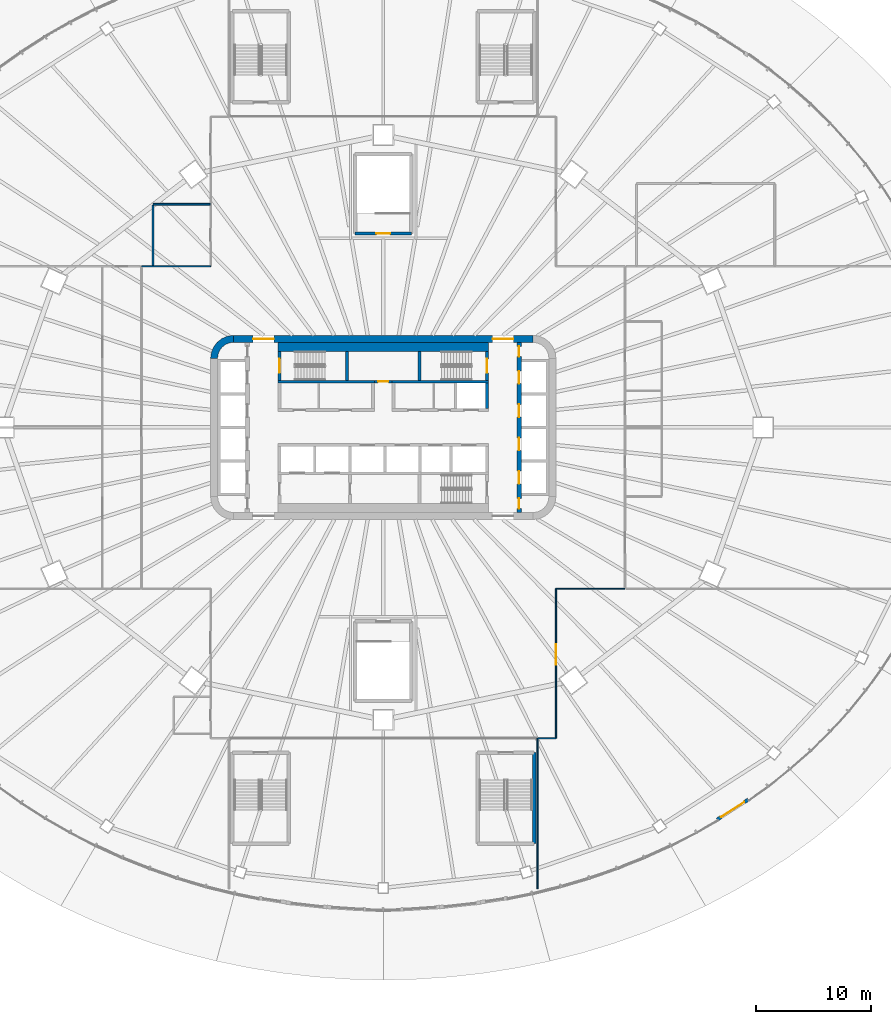
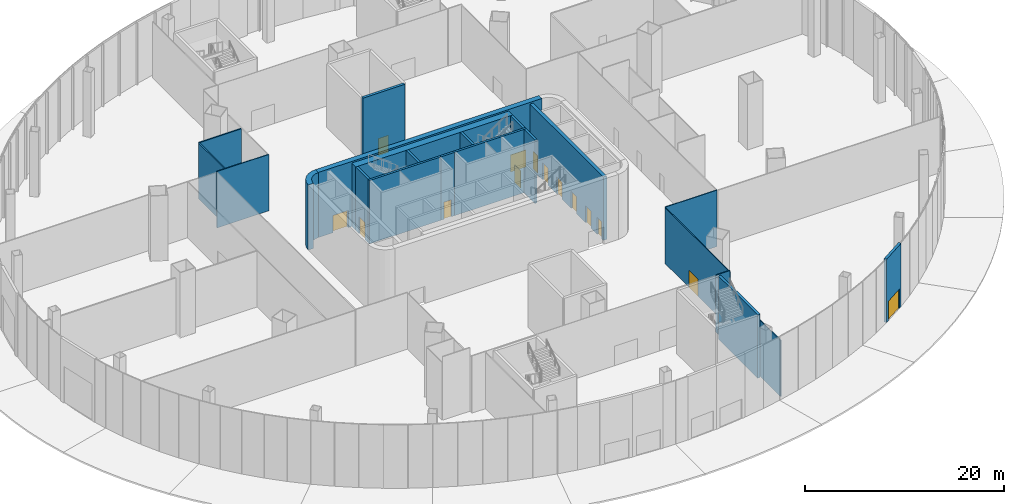
# One storey, part 18 of 36: 22 walls, 14 doors, 14 openings.
"""IFC4 building model written with IfcOpenShell, lengths in metres."""

from ifc_helpers import new_model, si_unit, direction, frame, frame_2d, origin, place, context, subcontext, project, spatial, polyline, rectangle, outline, extrude, material, layer, layer_set, type_object, element, fill, save


model = new_model("IFC4")

# Units and contexts
model_context = context("Model", 3, precision=1e-05, world=origin(), true_north=direction((0.0, 1.0)))
body_context = subcontext(model_context, "Body", "Model", "MODEL_VIEW")
ifc_project = project(units=[si_unit("LENGTHUNIT", "METRE"), si_unit("AREAUNIT", "SQUARE_METRE"), si_unit("VOLUMEUNIT", "CUBIC_METRE"), si_unit("PLANEANGLEUNIT", "RADIAN"), si_unit("MASSUNIT", "GRAM", prefix="KILO")], contexts=[model_context])

# Site, building, storey
site_placement = place(None, origin())
site = spatial("IfcSite", under=ifc_project, at=site_placement, CompositionType="ELEMENT")
building_placement = place(site_placement, origin())
building = spatial("IfcBuilding", under=site, at=building_placement, Name="Sahrelin Media Tower", CompositionType="ELEMENT")
storey_placement = place(building_placement, origin())
storey = spatial("IfcBuildingStorey", under=building, at=storey_placement, Name="L00", CompositionType="ELEMENT", Elevation=0.0)

# Wall, openings, doors
ifc_material_1 = material(Name="Concrete C60/75", Category="concrete")
ifc_layer_1 = layer(ifc_material_1, 0.60009765625)
ifc_layer_set_1 = layer_set([ifc_layer_1], Name="Core wall 600")
wall_type_1 = type_object("IfcWallType", Name="Core wall 600", PredefinedType="SHEAR", material=ifc_layer_set_1)
wall_1_placement = place(storey_placement, frame((-13.0, 7.699951171875, 0.0), z_axis=(0.0, 0.0, 1.0), x_axis=(1.0, 0.0, 0.0)))
wall_1 = element("IfcWall", 1, at=wall_1_placement, inside=storey, type_object=wall_type_1, Name="Core wall N L00", PredefinedType="SHEAR", context=body_context, shape_type="SweptSolid", body=[
    extrude(rectangle(XDim=26.0, YDim=0.60009765625, at=frame_2d((13.0, 0.0))), origin(), (0.0, 0.0, 1.0), 8.0),
])
opening_1_placement = place(wall_1_placement, frame((1.699951171875, 0.0, 0.0)))
opening_1 = element("IfcOpeningElement", 2, at=opening_1_placement, cuts=wall_1, Name="Opening L00-D15", PredefinedType="OPENING", context=body_context, shape_type="SweptSolid", body=[
    extrude(rectangle(XDim=1.800048828125, YDim=2.10009765625, at=frame_2d((0.89990234375, 1.050048828125))), frame((0.0, 0.300048828125, 0.0), z_axis=(0.0, -1.0, 0.0), x_axis=(1.0, 0.0, 0.0)), (0.0, 0.0, 1.0), 0.60009765625),
])
opening_2_placement = place(wall_1_placement, frame((22.5, 0.0, 0.0)))
opening_2 = element("IfcOpeningElement", 3, at=opening_2_placement, cuts=wall_1, Name="Opening L00-D16", PredefinedType="OPENING", context=body_context, shape_type="SweptSolid", body=[
    extrude(rectangle(XDim=1.800048828125, YDim=2.10009765625, at=frame_2d((0.89990234375, 1.050048828125))), frame((0.0, 0.300048828125, 0.0), z_axis=(0.0, -1.0, 0.0), x_axis=(1.0, 0.0, 0.0)), (0.0, 0.0, 1.0), 0.60009765625),
])
ifc_material_2 = material(Name="Steel fire door leaf", Category="steel")
door_type_1 = type_object("IfcDoorType", Name="Lobby double door 1800 x 2100 EI 60", OperationType="DOUBLE_DOOR_SINGLE_SWING", PredefinedType="DOOR", material=ifc_material_2)
door_1_placement = place(opening_1_placement, origin())
door_1 = element("IfcDoor", 4, at=door_1_placement, inside=storey, type_object=door_type_1, Name="Lobby door", OperationType="DOUBLE_DOOR_SINGLE_SWING", OverallHeight=2.10009765625, OverallWidth=1.800048828125, PredefinedType="DOOR", context=body_context, shape_type="SweptSolid", body=[
    extrude(rectangle(XDim=1.800048828125, YDim=2.10009765625, at=frame_2d((0.89990234375, 1.050048828125))), frame((0.0, 0.02490234375, 0.0), z_axis=(0.0, -1.0, 0.0), x_axis=(1.0, 0.0, 0.0)), (0.0, 0.0, 1.0), 0.050048828125),
])
fill(opening_1, door_1)
door_2_placement = place(opening_2_placement, origin())
door_2 = element("IfcDoor", 5, at=door_2_placement, inside=storey, type_object=door_type_1, Name="Lobby door", OperationType="DOUBLE_DOOR_SINGLE_SWING", OverallHeight=2.10009765625, OverallWidth=1.800048828125, PredefinedType="DOOR", context=body_context, shape_type="SweptSolid", body=[
    extrude(rectangle(XDim=1.800048828125, YDim=2.10009765625, at=frame_2d((0.89990234375, 1.050048828125))), frame((0.0, 0.02490234375, 0.0), z_axis=(0.0, -1.0, 0.0), x_axis=(1.0, 0.0, 0.0)), (0.0, 0.0, 1.0), 0.050048828125),
])
fill(opening_2, door_2)

# Wall
wall_2_placement = place(storey_placement, origin())
element("IfcWall", 6, at=wall_2_placement, inside=storey, type_object=wall_type_1, Name="Core wall corner NW L00", PredefinedType="SHEAR", context=body_context, shape_type="SweptSolid", body=[
    extrude(outline(polyline([(-15.0, 6.0), (-14.394775390625, 6.0), (-14.347412109375, 6.361083984375), (-14.2080078125, 6.697509765625), (-13.986328125, 6.986328125), (-13.697509765625, 7.2080078125), (-13.361083984375, 7.347412109375), (-13.0, 7.394775390625), (-13.0, 8.0), (-13.517578125, 7.931884765625), (-14.0, 7.732177734375), (-14.414306640625, 7.414306640625), (-14.732177734375, 7.0), (-14.931884765625, 6.517578125), (-15.0, 6.0)])), origin(), (0.0, 0.0, 1.0), 8.0),
])

# Wall, opening, door
ifc_material_3 = material(Name="Concrete C40/50", Category="concrete")
ifc_layer_2 = layer(ifc_material_3, 0.300048828125)
ifc_layer_set_2 = layer_set([ifc_layer_2], Name="Entrance pier wall")
wall_type_2 = type_object("IfcWallType", Name="Entrance pier wall", PredefinedType="SOLIDWALL", material=ifc_layer_set_2)
wall_3_placement = place(storey_placement, frame((29.011962890625, -34.061767578125, 0.0), z_axis=(0.0, 0.0, 1.0), x_axis=(0.840530889262, 0.541763623913, 0.0)))
wall_3 = element("IfcWall", 7, at=wall_3_placement, inside=storey, type_object=wall_type_2, Name="Entrance pier wall E14", PredefinedType="SOLIDWALL", context=body_context, shape_type="SweptSolid", body=[
    extrude(rectangle(XDim=3.199951171875, YDim=0.300048828125, at=frame_2d((1.60009765625, 0.0))), origin(), (0.0, 0.0, 1.0), 7.800048828125),
])
opening_3_placement = place(wall_3_placement, frame((0.39990234375, 0.0, 0.0)))
opening_3 = element("IfcOpeningElement", 8, at=opening_3_placement, cuts=wall_3, Name="Opening L00-D76", PredefinedType="OPENING", context=body_context, shape_type="SweptSolid", body=[
    extrude(rectangle(XDim=2.39990234375, YDim=2.39990234375, at=frame_2d((1.199951171875, 1.199951171875))), frame((0.0, 0.14990234375, 0.0), z_axis=(0.0, -1.0, 0.0), x_axis=(1.0, 0.0, 0.0)), (0.0, 0.0, 1.0), 0.300048828125),
])
ifc_material_4 = material(Name="Champagne anodised aluminium 6063-T6", Category="aluminium")
door_type_2 = type_object("IfcDoorType", Name="Entrance door, automatic double 2400x2400", OperationType="DOUBLE_DOOR_SLIDING", PredefinedType="DOOR", material=ifc_material_4)
door_3_placement = place(opening_3_placement, origin())
door_3 = element("IfcDoor", 9, at=door_3_placement, inside=storey, type_object=door_type_2, Name="L00:DOOR:E14", OperationType="DOUBLE_DOOR_SLIDING", OverallHeight=2.39990234375, OverallWidth=2.39990234375, PredefinedType="DOOR", context=body_context, shape_type="SweptSolid", body=[
    extrude(rectangle(XDim=2.39990234375, YDim=2.39990234375, at=frame_2d((1.199951171875, 1.199951171875))), frame((0.0, 0.02490234375, 0.0), z_axis=(0.0, -1.0, 0.0), x_axis=(1.0, 0.0, 0.0)), (0.0, 0.0, 1.0), 0.050048828125),
])
fill(opening_3, door_3)

ifc_material_5 = material(Name="Fire-rated gypsum board partition")
ifc_layer_3 = layer(ifc_material_5, 0.25)
ifc_layer_set_3 = layer_set([ifc_layer_3], Name="Fire-rated lobby wall 250")
wall_type_3 = type_object("IfcWallType", Name="Fire-rated lobby wall 250", PredefinedType="PARTITIONING", material=ifc_layer_set_3)
wall_4_placement = place(storey_placement, frame((-0.77490234375, 3.97509765625, 0.0), z_axis=(0.0, 0.0, 1.0), x_axis=(1.0, 0.0, 0.0)))
wall_4 = element("IfcWall", 10, at=wall_4_placement, inside=storey, type_object=wall_type_3, Name="Core lobby wall", PredefinedType="PARTITIONING", context=body_context, shape_type="SweptSolid", body=[
    extrude(rectangle(XDim=1.5498046875, YDim=0.25, at=frame_2d((0.77490234375, 0.0))), origin(), (0.0, 0.0, 1.0), 7.800048828125),
])
opening_4_placement = place(wall_4_placement, frame((0.324951171875, 0.0, 0.0)))
opening_4 = element("IfcOpeningElement", 11, at=opening_4_placement, cuts=wall_4, Name="Opening L00-D06", PredefinedType="OPENING", context=body_context, shape_type="SweptSolid", body=[
    extrude(rectangle(XDim=0.89990234375, YDim=2.10009765625, at=frame_2d((0.449951171875, 1.050048828125))), frame((0.0, 0.125, 0.0), z_axis=(0.0, -1.0, 0.0), x_axis=(1.0, 0.0, 0.0)), (0.0, 0.0, 1.0), 0.25),
])
door_type_3 = type_object("IfcDoorType", Name="Riser door 900 x 2100 EI 120", OperationType="NOTDEFINED", PredefinedType="DOOR", material=ifc_material_2)
door_4_placement = place(opening_4_placement, origin())
door_4 = element("IfcDoor", 12, at=door_4_placement, inside=storey, type_object=door_type_3, Name="Core room door", OperationType="SINGLE_SWING_LEFT", OverallHeight=2.10009765625, OverallWidth=0.89990234375, PredefinedType="DOOR", context=body_context, shape_type="SweptSolid", body=[
    extrude(rectangle(XDim=0.89990234375, YDim=2.10009765625, at=frame_2d((0.449951171875, 1.050048828125))), frame((0.0, 0.02490234375, 0.0), z_axis=(0.0, -1.0, 0.0), x_axis=(1.0, 0.0, 0.0)), (0.0, 0.0, 1.0), 0.050048828125),
])
fill(opening_4, door_4)

# Walls
wall_5_placement = place(storey_placement, frame((9.0, 1.64990234375, 0.0), z_axis=(0.0, 0.0, 1.0), x_axis=(0.0, 1.0, 0.0)))
element("IfcWall", 13, at=wall_5_placement, inside=storey, type_object=wall_type_3, Name="Core lobby wall", PredefinedType="PARTITIONING", context=body_context, shape_type="SweptSolid", body=[
    extrude(rectangle(XDim=2.2001953125, YDim=0.25, at=frame_2d((1.10009765625, 0.0))), origin(), (0.0, 0.0, 1.0), 7.800048828125),
])
ifc_layer_4 = layer(ifc_material_5, 0.14990234375)
ifc_layer_set_4 = layer_set([ifc_layer_4], Name="Fire-rated partition 150")
wall_type_4 = type_object("IfcWallType", Name="Fire-rated partition 150", PredefinedType="PARTITIONING", material=ifc_layer_set_4)
wall_6_placement = place(storey_placement, frame((-20.0, 19.39990234375, 0.0), z_axis=(0.0, 0.0, 1.0), x_axis=(1.0, 0.0, 0.0)))
element("IfcWall", 14, at=wall_6_placement, inside=storey, type_object=wall_type_4, Name="Wall", PredefinedType="PARTITIONING", context=body_context, shape_type="SweptSolid", body=[
    extrude(rectangle(XDim=4.949951171875, YDim=0.14990234375, at=frame_2d((2.47509765625, 0.0))), origin(), (0.0, 0.0, 1.0), 6.8681640625),
])
wall_7_placement = place(storey_placement, frame((-20.0, 14.050048828125, 0.0), z_axis=(0.0, 0.0, 1.0), x_axis=(0.0, 1.0, 0.0)))
element("IfcWall", 15, at=wall_7_placement, inside=storey, type_object=wall_type_4, Name="Wall", PredefinedType="PARTITIONING", context=body_context, shape_type="SweptSolid", body=[
    extrude(rectangle(XDim=5.27490234375, YDim=0.14990234375, at=frame_2d((2.637451171875, 0.0))), origin(), (0.0, 0.0, 1.0), 6.8681640625),
])

# Wall, openings, doors
ifc_layer_5 = layer(ifc_material_1, 0.39990234375)
ifc_layer_set_5 = layer_set([ifc_layer_5], Name="Lift shaft wall 400")
wall_type_5 = type_object("IfcWallType", Name="Lift shaft wall 400", PredefinedType="SOLIDWALL", material=ifc_layer_set_5)
wall_8_placement = place(storey_placement, frame((11.800048828125, -7.39990234375, 0.0), z_axis=(0.0, 0.0, 1.0), x_axis=(0.0, 1.0, 0.0)))
wall_8 = element("IfcWall", 16, at=wall_8_placement, inside=storey, type_object=wall_type_5, Name="Lift shaft wall", PredefinedType="SOLIDWALL", context=body_context, shape_type="SweptSolid", body=[
    extrude(rectangle(XDim=14.7998046875, YDim=0.39990234375, at=frame_2d((7.39990234375, 0.0))), origin(), (0.0, 0.0, 1.0), 7.800048828125),
])
opening_5_placement = place(wall_8_placement, frame((11.199951171875, 0.0, 0.0)))
opening_5 = element("IfcOpeningElement", 17, at=opening_5_placement, cuts=wall_8, Name="Opening L00-LD-LR4", PredefinedType="OPENING", context=body_context, shape_type="SweptSolid", body=[
    extrude(rectangle(XDim=1.10009765625, YDim=2.10009765625, at=frame_2d((0.550048828125, 1.050048828125))), frame((0.0, 0.199951171875, 0.0), z_axis=(0.0, -1.0, 0.0), x_axis=(1.0, 0.0, 0.0)), (0.0, 0.0, 1.0), 0.39990234375),
])
opening_6_placement = place(wall_8_placement, frame((8.300048828125, 0.0, 0.0)))
opening_6 = element("IfcOpeningElement", 18, at=opening_6_placement, cuts=wall_8, Name="Opening L00-LD-LR5", PredefinedType="OPENING", context=body_context, shape_type="SweptSolid", body=[
    extrude(rectangle(XDim=1.10009765625, YDim=2.10009765625, at=frame_2d((0.550048828125, 1.050048828125))), frame((0.0, 0.199951171875, 0.0), z_axis=(0.0, -1.0, 0.0), x_axis=(1.0, 0.0, 0.0)), (0.0, 0.0, 1.0), 0.39990234375),
])
opening_7_placement = place(wall_8_placement, frame((5.39990234375, 0.0, 0.0)))
opening_7 = element("IfcOpeningElement", 19, at=opening_7_placement, cuts=wall_8, Name="Opening L00-LD-LR6", PredefinedType="OPENING", context=body_context, shape_type="SweptSolid", body=[
    extrude(rectangle(XDim=1.10009765625, YDim=2.10009765625, at=frame_2d((0.550048828125, 1.050048828125))), frame((0.0, 0.199951171875, 0.0), z_axis=(0.0, -1.0, 0.0), x_axis=(1.0, 0.0, 0.0)), (0.0, 0.0, 1.0), 0.39990234375),
])
opening_8_placement = place(wall_8_placement, frame((2.5, 0.0, 0.0)))
opening_8 = element("IfcOpeningElement", 20, at=opening_8_placement, cuts=wall_8, Name="Opening L00-LD-SH2", PredefinedType="OPENING", context=body_context, shape_type="SweptSolid", body=[
    extrude(rectangle(XDim=1.10009765625, YDim=2.10009765625, at=frame_2d((0.550048828125, 1.050048828125))), frame((0.0, 0.199951171875, 0.0), z_axis=(0.0, -1.0, 0.0), x_axis=(1.0, 0.0, 0.0)), (0.0, 0.0, 1.0), 0.39990234375),
])
opening_9_placement = place(wall_8_placement, frame((13.552490234375, 0.0, 0.0)))
opening_9 = element("IfcOpeningElement", 21, at=opening_9_placement, cuts=wall_8, Name="Opening L00-D13", PredefinedType="OPENING", context=body_context, shape_type="SweptSolid", body=[
    extrude(rectangle(XDim=0.89990234375, YDim=2.10009765625, at=frame_2d((0.449951171875, 1.050048828125))), frame((0.0, 0.199951171875, 0.0), z_axis=(0.0, -1.0, 0.0), x_axis=(1.0, 0.0, 0.0)), (0.0, 0.0, 1.0), 0.39990234375),
])
opening_10_placement = place(wall_8_placement, frame((0.347412109375, 0.0, 0.0)))
opening_10 = element("IfcOpeningElement", 22, at=opening_10_placement, cuts=wall_8, Name="Opening L00-D14", PredefinedType="OPENING", context=body_context, shape_type="SweptSolid", body=[
    extrude(rectangle(XDim=0.89990234375, YDim=2.10009765625, at=frame_2d((0.449951171875, 1.050048828125))), frame((0.0, 0.199951171875, 0.0), z_axis=(0.0, -1.0, 0.0), x_axis=(1.0, 0.0, 0.0)), (0.0, 0.0, 1.0), 0.39990234375),
])
ifc_material_6 = material(Name="Stainless steel", Category="steel")
door_type_4 = type_object("IfcDoorType", Name="Lift landing door 1100 x 2100 EI 120", OperationType="DOUBLE_DOOR_SLIDING", PredefinedType="DOOR", material=ifc_material_6)
door_5_placement = place(opening_5_placement, origin())
door_5 = element("IfcDoor", 23, at=door_5_placement, inside=storey, type_object=door_type_4, Name="Lift landing door LR4", OperationType="DOUBLE_DOOR_SLIDING", OverallHeight=2.10009765625, OverallWidth=1.10009765625, PredefinedType="DOOR", context=body_context, shape_type="SweptSolid", body=[
    extrude(rectangle(XDim=1.10009765625, YDim=2.10009765625, at=frame_2d((0.550048828125, 1.050048828125))), frame((0.0, 0.02490234375, 0.0), z_axis=(0.0, -1.0, 0.0), x_axis=(1.0, 0.0, 0.0)), (0.0, 0.0, 1.0), 0.050048828125),
])
fill(opening_5, door_5)
door_6_placement = place(opening_6_placement, origin())
door_6 = element("IfcDoor", 24, at=door_6_placement, inside=storey, type_object=door_type_4, Name="Lift landing door LR5", OperationType="DOUBLE_DOOR_SLIDING", OverallHeight=2.10009765625, OverallWidth=1.10009765625, PredefinedType="DOOR", context=body_context, shape_type="SweptSolid", body=[
    extrude(rectangle(XDim=1.10009765625, YDim=2.10009765625, at=frame_2d((0.550048828125, 1.050048828125))), frame((0.0, 0.02490234375, 0.0), z_axis=(0.0, -1.0, 0.0), x_axis=(1.0, 0.0, 0.0)), (0.0, 0.0, 1.0), 0.050048828125),
])
fill(opening_6, door_6)
door_7_placement = place(opening_7_placement, origin())
door_7 = element("IfcDoor", 25, at=door_7_placement, inside=storey, type_object=door_type_4, Name="Lift landing door LR6", OperationType="DOUBLE_DOOR_SLIDING", OverallHeight=2.10009765625, OverallWidth=1.10009765625, PredefinedType="DOOR", context=body_context, shape_type="SweptSolid", body=[
    extrude(rectangle(XDim=1.10009765625, YDim=2.10009765625, at=frame_2d((0.550048828125, 1.050048828125))), frame((0.0, 0.02490234375, 0.0), z_axis=(0.0, -1.0, 0.0), x_axis=(1.0, 0.0, 0.0)), (0.0, 0.0, 1.0), 0.050048828125),
])
fill(opening_7, door_7)
door_8_placement = place(opening_8_placement, origin())
door_8 = element("IfcDoor", 26, at=door_8_placement, inside=storey, type_object=door_type_4, Name="Lift landing door SH2", OperationType="DOUBLE_DOOR_SLIDING", OverallHeight=2.10009765625, OverallWidth=1.10009765625, PredefinedType="DOOR", context=body_context, shape_type="SweptSolid", body=[
    extrude(rectangle(XDim=1.10009765625, YDim=2.10009765625, at=frame_2d((0.550048828125, 1.050048828125))), frame((0.0, 0.02490234375, 0.0), z_axis=(0.0, -1.0, 0.0), x_axis=(1.0, 0.0, 0.0)), (0.0, 0.0, 1.0), 0.050048828125),
])
fill(opening_8, door_8)
door_9_placement = place(opening_9_placement, origin())
door_9 = element("IfcDoor", 27, at=door_9_placement, inside=storey, type_object=door_type_3, Name="Riser door", OperationType="SINGLE_SWING_RIGHT", OverallHeight=2.10009765625, OverallWidth=0.89990234375, PredefinedType="DOOR", context=body_context, shape_type="SweptSolid", body=[
    extrude(rectangle(XDim=0.89990234375, YDim=2.10009765625, at=frame_2d((0.449951171875, 1.050048828125))), frame((0.0, 0.02490234375, 0.0), z_axis=(0.0, -1.0, 0.0), x_axis=(1.0, 0.0, 0.0)), (0.0, 0.0, 1.0), 0.050048828125),
])
fill(opening_9, door_9)
door_10_placement = place(opening_10_placement, origin())
door_10 = element("IfcDoor", 28, at=door_10_placement, inside=storey, type_object=door_type_3, Name="Riser door", OperationType="SINGLE_SWING_RIGHT", OverallHeight=2.10009765625, OverallWidth=0.89990234375, PredefinedType="DOOR", context=body_context, shape_type="SweptSolid", body=[
    extrude(rectangle(XDim=0.89990234375, YDim=2.10009765625, at=frame_2d((0.449951171875, 1.050048828125))), frame((0.0, 0.02490234375, 0.0), z_axis=(0.0, -1.0, 0.0), x_axis=(1.0, 0.0, 0.0)), (0.0, 0.0, 1.0), 0.050048828125),
])
fill(opening_10, door_10)

# Wall
ifc_material_7 = material(Name="Gypsum board partition")
ifc_layer_6 = layer(ifc_material_7, 0.10009765625)
ifc_layer_set_6 = layer_set([ifc_layer_6], Name="Partition 100")
wall_type_6 = type_object("IfcWallType", Name="Partition 100", PredefinedType="PARTITIONING", material=ifc_layer_set_6)
wall_9_placement = place(storey_placement, frame((21.0, -14.0, 0.0), z_axis=(0.0, 0.0, 1.0), x_axis=(-1.0, 0.0, 0.0)))
element("IfcWall", 29, at=wall_9_placement, inside=storey, type_object=wall_type_6, Name="Wall", PredefinedType="PARTITIONING", context=body_context, shape_type="SweptSolid", body=[
    extrude(rectangle(XDim=6.0, YDim=0.10009765625, at=frame_2d((3.0, 0.0))), origin(), (0.0, 0.0, 1.0), 6.9453125),
])

# Wall, opening, door
wall_10_placement = place(storey_placement, frame((15.0, -14.0, 0.0), z_axis=(0.0, 0.0, 1.0), x_axis=(0.0, -1.0, 0.0)))
wall_10 = element("IfcWall", 30, at=wall_10_placement, inside=storey, type_object=wall_type_6, Name="Wall", PredefinedType="PARTITIONING", context=body_context, shape_type="SweptSolid", body=[
    extrude(rectangle(XDim=13.0, YDim=0.10009765625, at=frame_2d((6.5, 0.0))), origin(), (0.0, 0.0, 1.0), 6.8681640625),
])
opening_11_placement = place(wall_10_placement, frame((4.820068359375, 0.0, 0.0)))
opening_11 = element("IfcOpeningElement", 31, at=opening_11_placement, cuts=wall_10, Name="Opening L00-D27", PredefinedType="OPENING", context=body_context, shape_type="SweptSolid", body=[
    extrude(rectangle(XDim=1.800048828125, YDim=2.10009765625, at=frame_2d((0.89990234375, 1.050048828125))), frame((0.0, 0.050048828125, 0.0), z_axis=(0.0, -1.0, 0.0), x_axis=(1.0, 0.0, 0.0)), (0.0, 0.0, 1.0), 0.10009765625),
])
ifc_material_8 = material(Name="Timber door leaf", Category="wood")
door_type_5 = type_object("IfcDoorType", Name="Double door 1800 x 2100", OperationType="DOUBLE_DOOR_SINGLE_SWING", PredefinedType="DOOR", material=ifc_material_8)
door_11_placement = place(opening_11_placement, origin())
door_11 = element("IfcDoor", 32, at=door_11_placement, inside=storey, type_object=door_type_5, Name="Double door", OperationType="DOUBLE_DOOR_SINGLE_SWING", OverallHeight=2.10009765625, OverallWidth=1.800048828125, PredefinedType="DOOR", context=body_context, shape_type="SweptSolid", body=[
    extrude(rectangle(XDim=1.800048828125, YDim=2.10009765625, at=frame_2d((0.89990234375, 1.050048828125))), frame((0.0, 0.02490234375, 0.0), z_axis=(0.0, -1.0, 0.0), x_axis=(1.0, 0.0, 0.0)), (0.0, 0.0, 1.0), 0.050048828125),
])
fill(opening_11, door_11)

# Walls
wall_11_placement = place(storey_placement, frame((15.0, -27.0, 0.0), z_axis=(0.0, 0.0, 1.0), x_axis=(-1.0, 0.0, 0.0)))
element("IfcWall", 33, at=wall_11_placement, inside=storey, type_object=wall_type_6, Name="Wall", PredefinedType="PARTITIONING", context=body_context, shape_type="SweptSolid", body=[
    extrude(rectangle(XDim=1.60009765625, YDim=0.10009765625, at=frame_2d((0.800048828125, 0.0))), origin(), (0.0, 0.0, 1.0), 7.02587890625),
])
wall_12_placement = place(storey_placement, frame((13.39990234375, -27.0, 0.0), z_axis=(0.0, 0.0, 1.0), x_axis=(0.0, -1.0, 0.0)))
element("IfcWall", 34, at=wall_12_placement, inside=storey, type_object=wall_type_6, Name="Wall", PredefinedType="PARTITIONING", context=body_context, shape_type="SweptSolid", body=[
    extrude(rectangle(XDim=13.093994140625, YDim=0.10009765625, at=frame_2d((6.546875, 0.0))), origin(), (0.0, 0.0, 1.0), 6.876953125),
])
wall_13_placement = place(storey_placement, frame((-15.0, 14.0, 0.0), z_axis=(0.0, 0.0, 1.0), x_axis=(-1.0, 0.0, 0.0)))
element("IfcWall", 35, at=wall_13_placement, inside=storey, type_object=wall_type_6, Name="Wall", PredefinedType="PARTITIONING", context=body_context, shape_type="SweptSolid", body=[
    extrude(rectangle(XDim=6.0, YDim=0.10009765625, at=frame_2d((3.0, 0.0))), origin(), (0.0, 0.0, 1.0), 6.9453125),
])

# Wall, opening, door
ifc_layer_7 = layer(ifc_material_1, 0.25)
ifc_layer_set_7 = layer_set([ifc_layer_7], Name="Stair enclosure wall 250")
wall_type_7 = type_object("IfcWallType", Name="Stair enclosure wall 250", PredefinedType="SOLIDWALL", material=ifc_layer_set_7)
wall_14_placement = place(storey_placement, frame((-9.0, 4.10009765625, 0.0), z_axis=(0.0, 0.0, 1.0), x_axis=(0.0, 1.0, 0.0)))
wall_14 = element("IfcWall", 36, at=wall_14_placement, inside=storey, type_object=wall_type_7, Name="Stair enclosure wall", PredefinedType="SOLIDWALL", context=body_context, shape_type="SweptSolid", body=[
    extrude(rectangle(XDim=2.5, YDim=0.25, at=frame_2d((1.25, 0.0))), origin(), (0.0, 0.0, 1.0), 7.800048828125),
])
opening_12_placement = place(wall_14_placement, frame((0.64990234375, 0.0, 0.0)))
opening_12 = element("IfcOpeningElement", 37, at=opening_12_placement, cuts=wall_14, Name="Opening L00-D01", PredefinedType="OPENING", context=body_context, shape_type="SweptSolid", body=[
    extrude(rectangle(XDim=1.199951171875, YDim=2.10009765625, at=frame_2d((0.60009765625, 1.050048828125))), frame((0.0, 0.125, 0.0), z_axis=(0.0, -1.0, 0.0), x_axis=(1.0, 0.0, 0.0)), (0.0, 0.0, 1.0), 0.25),
])
door_type_6 = type_object("IfcDoorType", Name="Stair door 1200 x 2100 EI 120", OperationType="NOTDEFINED", PredefinedType="DOOR", material=ifc_material_2)
door_12_placement = place(opening_12_placement, origin())
door_12 = element("IfcDoor", 38, at=door_12_placement, inside=storey, type_object=door_type_6, Name="Stair door ST1", OperationType="SINGLE_SWING_RIGHT", OverallHeight=2.10009765625, OverallWidth=1.199951171875, PredefinedType="DOOR", context=body_context, shape_type="SweptSolid", body=[
    extrude(rectangle(XDim=1.199951171875, YDim=2.10009765625, at=frame_2d((0.60009765625, 1.050048828125))), frame((0.0, 0.02490234375, 0.0), z_axis=(0.0, -1.0, 0.0), x_axis=(1.0, 0.0, 0.0)), (0.0, 0.0, 1.0), 0.050048828125),
])
fill(opening_12, door_12)

wall_15_placement = place(storey_placement, frame((9.0, 4.10009765625, 0.0), z_axis=(0.0, 0.0, 1.0), x_axis=(0.0, 1.0, 0.0)))
wall_15 = element("IfcWall", 39, at=wall_15_placement, inside=storey, type_object=wall_type_7, Name="Stair enclosure wall", PredefinedType="SOLIDWALL", context=body_context, shape_type="SweptSolid", body=[
    extrude(rectangle(XDim=2.5, YDim=0.25, at=frame_2d((1.25, 0.0))), origin(), (0.0, 0.0, 1.0), 7.800048828125),
])
opening_13_placement = place(wall_15_placement, frame((0.64990234375, 0.0, 0.0)))
opening_13 = element("IfcOpeningElement", 40, at=opening_13_placement, cuts=wall_15, Name="Opening L00-D02", PredefinedType="OPENING", context=body_context, shape_type="SweptSolid", body=[
    extrude(rectangle(XDim=1.199951171875, YDim=2.10009765625, at=frame_2d((0.60009765625, 1.050048828125))), frame((0.0, 0.125, 0.0), z_axis=(0.0, -1.0, 0.0), x_axis=(1.0, 0.0, 0.0)), (0.0, 0.0, 1.0), 0.25),
])
door_13_placement = place(opening_13_placement, origin())
door_13 = element("IfcDoor", 41, at=door_13_placement, inside=storey, type_object=door_type_6, Name="Stair door ST3", OperationType="SINGLE_SWING_LEFT", OverallHeight=2.10009765625, OverallWidth=1.199951171875, PredefinedType="DOOR", context=body_context, shape_type="SweptSolid", body=[
    extrude(rectangle(XDim=1.199951171875, YDim=2.10009765625, at=frame_2d((0.60009765625, 1.050048828125))), frame((0.0, 0.02490234375, 0.0), z_axis=(0.0, -1.0, 0.0), x_axis=(1.0, 0.0, 0.0)), (0.0, 0.0, 1.0), 0.050048828125),
])
fill(opening_13, door_13)

# Walls
for number, where, z_axis, x_axis, name in (
    (42, (-3.14990234375, 4.10009765625, 0.0), (0.0, 0.0, 1.0), (0.0, 1.0, 0.0), "Stair enclosure wall"),
    (43, (3.14990234375, 4.10009765625, 0.0), (0.0, 0.0, 1.0), (0.0, 1.0, 0.0), "Stair enclosure wall"),
):
    element("IfcWall", number, at=place(storey_placement, frame(where, z_axis=z_axis, x_axis=x_axis)), inside=storey, type_object=wall_type_7, Name=name, PredefinedType="SOLIDWALL", context=body_context, shape_type="SweptSolid", body=[
        extrude(rectangle(XDim=2.5, YDim=0.25, at=frame_2d((1.25, 0.0))), origin(), (0.0, 0.0, 1.0), 7.800048828125),
    ])
for number, where, z_axis, x_axis, name in (
    (44, (-9.125, 3.97509765625, 0.0), (0.0, 0.0, 1.0), (1.0, 0.0, 0.0), "Stair enclosure wall"),
    (45, (0.77490234375, 3.97509765625, 0.0), (0.0, 0.0, 1.0), (1.0, 0.0, 0.0), "Stair enclosure wall"),
):
    element("IfcWall", number, at=place(storey_placement, frame(where, z_axis=z_axis, x_axis=x_axis)), inside=storey, type_object=wall_type_7, Name=name, PredefinedType="SOLIDWALL", context=body_context, shape_type="SweptSolid", body=[
        extrude(rectangle(XDim=8.35009765625, YDim=0.25, at=frame_2d((4.175048828125, 0.0))), origin(), (0.0, 0.0, 1.0), 7.800048828125),
    ])
ifc_layer_8 = layer(ifc_material_1, 0.300048828125)
ifc_layer_set_8 = layer_set([ifc_layer_8], Name="Stair enclosure wall 300")
wall_type_8 = type_object("IfcWallType", Name="Stair enclosure wall 300", PredefinedType="SOLIDWALL", material=ifc_layer_set_8)
wall_16_placement = place(storey_placement, frame((13.10009765625, -28.25, 0.0), z_axis=(0.0, 0.0, 1.0), x_axis=(0.0, -1.0, 0.0)))
element("IfcWall", 46, at=wall_16_placement, inside=storey, type_object=wall_type_8, Name="Stair PS4", PredefinedType="SOLIDWALL", context=body_context, shape_type="SweptSolid", body=[
    extrude(rectangle(XDim=7.89990234375, YDim=0.300048828125, at=frame_2d((3.949951171875, 0.0))), origin(), (0.0, 0.0, 1.0), 7.800048828125),
])

# Wall, opening, door
wall_17_placement = place(storey_placement, frame((2.449951171875, 16.85009765625, 0.0), z_axis=(0.0, 0.0, 1.0), x_axis=(-1.0, 0.0, 0.0)))
wall_17 = element("IfcWall", 47, at=wall_17_placement, inside=storey, type_object=wall_type_8, Name="Stair BS1", PredefinedType="SOLIDWALL", context=body_context, shape_type="SweptSolid", body=[
    extrude(rectangle(XDim=4.89990234375, YDim=0.300048828125, at=frame_2d((2.449951171875, 0.0))), origin(), (0.0, 0.0, 1.0), 7.800048828125),
])
opening_14_placement = place(wall_17_placement, frame((1.85009765625, 0.0, 0.0)))
opening_14 = element("IfcOpeningElement", 48, at=opening_14_placement, cuts=wall_17, Name="Opening L00-D44", PredefinedType="OPENING", context=body_context, shape_type="SweptSolid", body=[
    extrude(rectangle(XDim=1.199951171875, YDim=2.10009765625, at=frame_2d((0.60009765625, 1.050048828125))), frame((0.0, 0.14990234375, 0.0), z_axis=(0.0, -1.0, 0.0), x_axis=(1.0, 0.0, 0.0)), (0.0, 0.0, 1.0), 0.300048828125),
])
door_14_placement = place(opening_14_placement, origin())
door_14 = element("IfcDoor", 49, at=door_14_placement, inside=storey, type_object=door_type_6, Name="Stair door", OperationType="SINGLE_SWING_RIGHT", OverallHeight=2.10009765625, OverallWidth=1.199951171875, PredefinedType="DOOR", context=body_context, shape_type="SweptSolid", body=[
    extrude(rectangle(XDim=1.199951171875, YDim=2.10009765625, at=frame_2d((0.60009765625, 1.050048828125))), frame((0.0, 0.02490234375, 0.0), z_axis=(0.0, -1.0, 0.0), x_axis=(1.0, 0.0, 0.0)), (0.0, 0.0, 1.0), 0.050048828125),
])
fill(opening_14, door_14)

# Wall
ifc_layer_9 = layer(ifc_material_1, 0.800048828125)
ifc_layer_set_9 = layer_set([ifc_layer_9], Name="Stair enclosure wall 800")
wall_type_9 = type_object("IfcWallType", Name="Stair enclosure wall 800", PredefinedType="SOLIDWALL", material=ifc_layer_set_9)
wall_18_placement = place(storey_placement, frame((-9.125, 7.0, 0.0), z_axis=(0.0, 0.0, 1.0), x_axis=(1.0, 0.0, 0.0)))
element("IfcWall", 50, at=wall_18_placement, inside=storey, type_object=wall_type_9, Name="Stair enclosure wall", PredefinedType="SOLIDWALL", context=body_context, shape_type="SweptSolid", body=[
    extrude(rectangle(XDim=18.25, YDim=0.800048828125, at=frame_2d((9.125, 0.0))), origin(), (0.0, 0.0, 1.0), 7.800048828125),
])

save(model, "model.ifc")
